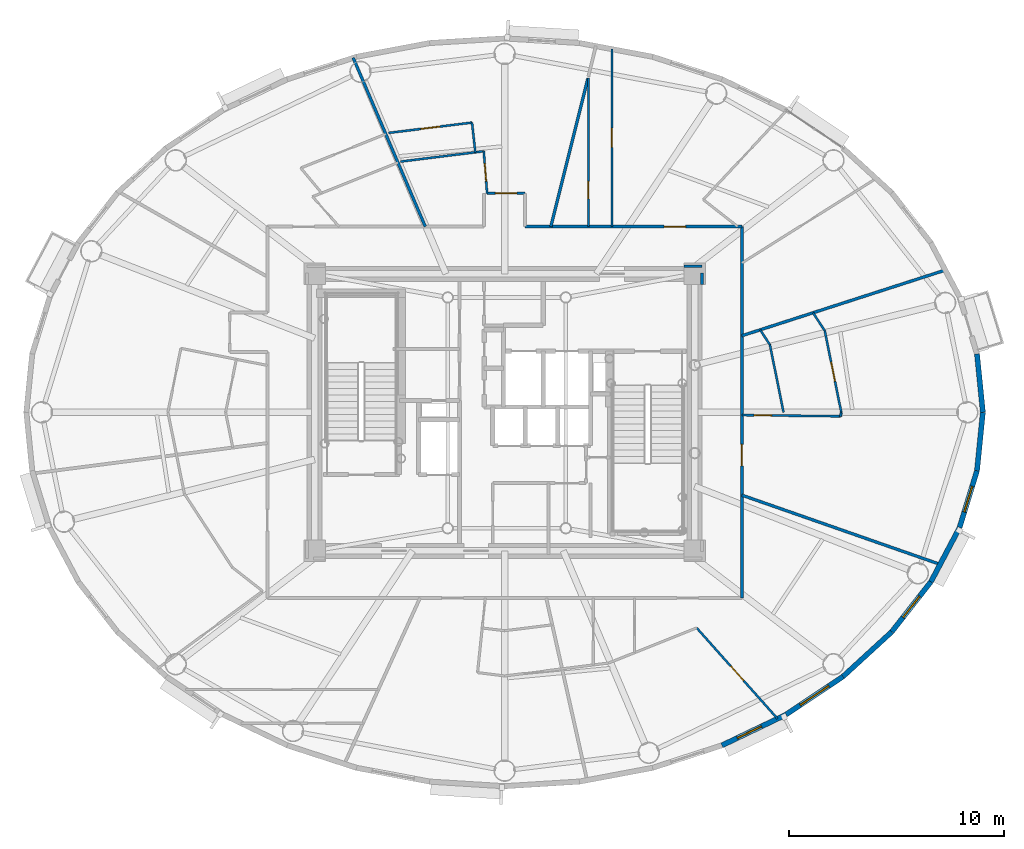
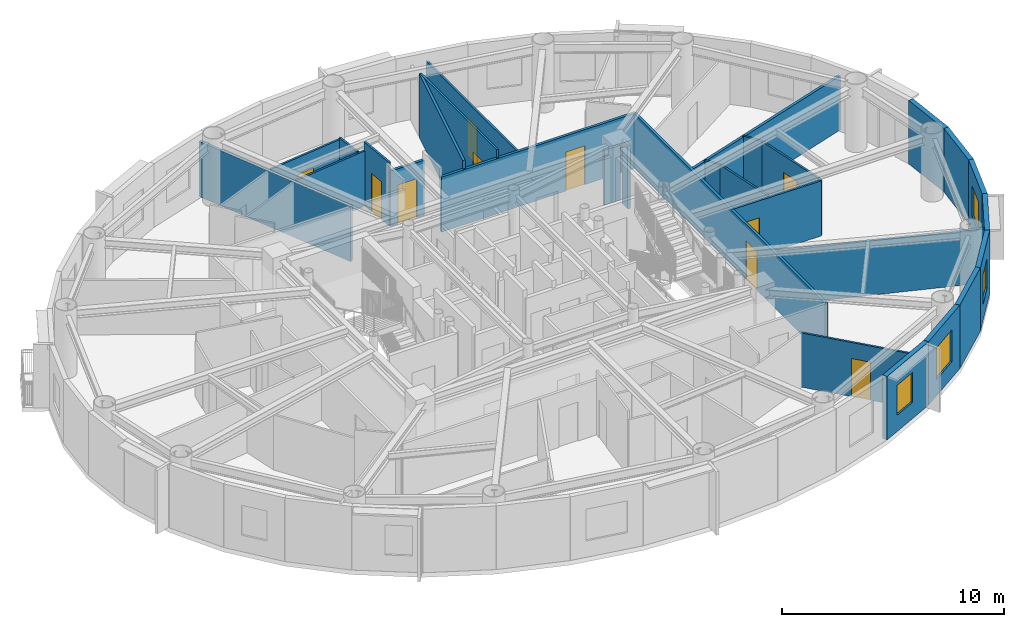
# One storey, part 8 of 17: 30 walls, 10 doors, 4 windows, 14 openings.
"""IFC4 building model written with IfcOpenShell, lengths in metres."""

from ifc_helpers import new_model, si_unit, direction, frame, frame_2d, origin, origin_2d, place, context, subcontext, project, spatial, rectangle, extrude, source, transform, mapped, material, layer, layer_set, type_object, element, fill, save


model = new_model("IFC4")

# Units and contexts
model_context = context("Model", 3, precision=1e-05, world=origin(), true_north=direction((0.0, 1.0)))
body_context = subcontext(model_context, "Body", "Model", "MODEL_VIEW")
ifc_project = project(units=[si_unit("LENGTHUNIT", "METRE"), si_unit("AREAUNIT", "SQUARE_METRE"), si_unit("VOLUMEUNIT", "CUBIC_METRE"), si_unit("PLANEANGLEUNIT", "RADIAN"), si_unit("MASSUNIT", "GRAM", prefix="KILO")], contexts=[model_context])

# Site, building, storey
site_placement = place(None, origin())
site = spatial("IfcSite", under=ifc_project, at=site_placement, CompositionType="ELEMENT")
building_placement = place(site_placement, origin())
building = spatial("IfcBuilding", under=site, at=building_placement, Name="Linh Dai School and Residence Tower", CompositionType="ELEMENT")
storey_placement = place(building_placement, frame((0.0, 0.0, 303.0)))
storey = spatial("IfcBuildingStorey", under=building, at=storey_placement, Name="L75", CompositionType="ELEMENT", Elevation=303.0)

# Wall
ifc_material_1 = material(Name="Precast Concrete B45 (C35/45)", Category="concrete")
ifc_layer_1 = layer(ifc_material_1, 0.239990234375)
ifc_layer_set_1 = layer_set([ifc_layer_1], Name="Precast Concrete B45 (C35/45)")
wall_type_1 = type_object("IfcWallType", Name="EW-TC-240", PredefinedType="SOLIDWALL", material=ifc_layer_set_1)
wall_1_placement = place(storey_placement, frame((58.001708984375, 29.718994140625, 0.0), z_axis=(0.0, 0.0, 1.0), x_axis=(0.099972526841, -0.99499019788, 0.0)))
element("IfcWall", 1, at=wall_1_placement, inside=storey, type_object=wall_type_1, Name="L75 Terracotta Exterior Wall 01", PredefinedType="SOLIDWALL", context=body_context, shape_type="SweptSolid", body=[
    extrude(rectangle(XDim=2.732666015625, YDim=0.239990234375, at=frame_2d((1.3662109375, 0.0))), origin(), (0.0, 0.0, 1.0), 3.5),
])

# Wall, opening, window
wall_2_placement = place(storey_placement, frame((49.1044921875, 12.91845703125, 0.0), z_axis=(0.0, 0.0, 1.0), x_axis=(-0.901573741254, -0.43262546051, 0.0)))
wall_2 = element("IfcWall", 2, at=wall_2_placement, inside=storey, type_object=wall_type_1, Name="L75 Terracotta Exterior Wall 34", PredefinedType="SOLIDWALL", context=body_context, shape_type="SweptSolid", body=[
    extrude(rectangle(XDim=3.306884765625, YDim=0.239990234375, at=frame_2d((1.6533203125, 0.0))), origin(), (0.0, 0.0, 1.0), 3.5),
])
opening_1_placement = place(wall_2_placement, frame((1.260009765625, 0.0, 0.89990234375)))
opening_1 = element("IfcOpeningElement", 3, at=opening_1_placement, cuts=wall_2, Name="Opening W3", PredefinedType="OPENING", context=body_context, shape_type="SweptSolid", body=[
    extrude(rectangle(XDim=1.25, YDim=1.64990234375, at=origin_2d()), frame((0.625, 0.1298828125, 0.824951171875), z_axis=(0.0, -1.0, 0.0), x_axis=(1.0, 0.0, 0.0)), (0.0, 0.0, 1.0), 0.260009765625),
])
ifc_material_2 = material(Name="Double Low-E Insulated Glazing", Category="glass")
window_type_1 = type_object("IfcWindowType", Name="WN-RES-1250x1650", PartitioningType="SINGLE_PANEL", PredefinedType="WINDOW", material=ifc_material_2)
shared_shape_1 = source(origin(), body_context, "Body", "SweptSolid", [
    extrude(rectangle(XDim=1.25, YDim=1.64990234375, at=origin_2d()), frame((0.625, 0.030029296875, 0.824951171875), z_axis=(0.0, -1.0, 0.0), x_axis=(1.0, 0.0, 0.0)), (0.0, 0.0, 1.0), 0.06005859375),
])
window_1_placement = place(opening_1_placement, origin())
window_1 = element("IfcWindow", 4, at=window_1_placement, inside=storey, type_object=window_type_1, Name="L75 Exterior Window 34.1", OverallHeight=1.64990234375, OverallWidth=1.25, PartitioningType="SINGLE_PANEL", PredefinedType="WINDOW", context=body_context, shape_type="MappedRepresentation", body=[
    mapped(shared_shape_1, transform((0.0, 0.0, 0.0), x_axis=(1.0, 0.0, 0.0), y_axis=(0.0, 1.0, 0.0), z_axis=(0.0, 0.0, 1.0), scale=1.0)),
])
fill(opening_1, window_1)

wall_3_placement = place(storey_placement, frame((51.76220703125, 14.69580078125, 0.0), z_axis=(0.0, 0.0, 1.0), x_axis=(-0.831250592635, -0.55589787933, 0.0)))
wall_3 = element("IfcWall", 5, at=wall_3_placement, inside=storey, type_object=wall_type_1, Name="L75 Terracotta Exterior Wall 35", PredefinedType="SOLIDWALL", context=body_context, shape_type="SweptSolid", body=[
    extrude(rectangle(XDim=3.197265625, YDim=0.239990234375, at=frame_2d((1.5986328125, 0.0))), origin(), (0.0, 0.0, 1.0), 3.5),
])
opening_2_placement = place(wall_3_placement, frame((0.798583984375, 0.0, 0.89990234375)))
opening_2 = element("IfcOpeningElement", 6, at=opening_2_placement, cuts=wall_3, Name="Opening W2", PredefinedType="OPENING", context=body_context, shape_type="SweptSolid", body=[
    extrude(rectangle(XDim=1.60009765625, YDim=1.75, at=origin_2d()), frame((0.800048828125, 0.1298828125, 0.875), z_axis=(0.0, -1.0, 0.0), x_axis=(1.0, 0.0, 0.0)), (0.0, 0.0, 1.0), 0.260009765625),
])
window_type_2 = type_object("IfcWindowType", Name="WN-RES-1600x1750", PartitioningType="DOUBLE_PANEL_VERTICAL", PredefinedType="WINDOW", material=ifc_material_2)
shared_shape_2 = source(origin(), body_context, "Body", "SweptSolid", [
    extrude(rectangle(XDim=1.60009765625, YDim=1.75, at=origin_2d()), frame((0.800048828125, 0.030029296875, 0.875), z_axis=(0.0, -1.0, 0.0), x_axis=(1.0, 0.0, 0.0)), (0.0, 0.0, 1.0), 0.06005859375),
])
window_2_placement = place(opening_2_placement, origin())
window_2 = element("IfcWindow", 7, at=window_2_placement, inside=storey, type_object=window_type_2, Name="L75 Exterior Window 35.1", OverallHeight=1.75, OverallWidth=1.60009765625, PartitioningType="DOUBLE_PANEL_VERTICAL", PredefinedType="WINDOW", context=body_context, shape_type="MappedRepresentation", body=[
    mapped(shared_shape_2, transform((0.0, 0.0, 0.0), x_axis=(1.0, 0.0, 0.0), y_axis=(0.0, 1.0, 0.0), z_axis=(0.0, 0.0, 1.0), scale=1.0)),
])
fill(opening_2, window_2)

# Wall
wall_4_placement = place(storey_placement, frame((54.0302734375, 16.775390625, 0.0), z_axis=(0.0, 0.0, 1.0), x_axis=(-0.737068506972, -0.675818034703, 0.0)))
element("IfcWall", 8, at=wall_4_placement, inside=storey, type_object=wall_type_1, Name="L75 Terracotta Exterior Wall 36", PredefinedType="SOLIDWALL", context=body_context, shape_type="SweptSolid", body=[
    extrude(rectangle(XDim=3.0771484375, YDim=0.239990234375, at=frame_2d((1.53857421875, 0.0))), origin(), (0.0, 0.0, 1.0), 3.5),
])

# Wall, opening, window
wall_5_placement = place(storey_placement, frame((55.853759765625, 19.105224609375, 0.0), z_axis=(0.0, 0.0, 1.0), x_axis=(-0.616337186556, -0.787482363275, 0.0)))
wall_5 = element("IfcWall", 9, at=wall_5_placement, inside=storey, type_object=wall_type_1, Name="L75 Terracotta Exterior Wall 37", PredefinedType="SOLIDWALL", context=body_context, shape_type="SweptSolid", body=[
    extrude(rectangle(XDim=2.95849609375, YDim=0.239990234375, at=frame_2d((1.479248046875, 0.0))), origin(), (0.0, 0.0, 1.0), 3.5),
])
opening_3_placement = place(wall_5_placement, frame((0.8544921875, 0.0, 0.89990234375)))
opening_3 = element("IfcOpeningElement", 10, at=opening_3_placement, cuts=wall_5, Name="Opening W3", PredefinedType="OPENING", context=body_context, shape_type="SweptSolid", body=[
    extrude(rectangle(XDim=1.25, YDim=1.64990234375, at=origin_2d()), frame((0.625, 0.1298828125, 0.824951171875), z_axis=(0.0, -1.0, 0.0), x_axis=(1.0, 0.0, 0.0)), (0.0, 0.0, 1.0), 0.260009765625),
])
window_3_placement = place(opening_3_placement, origin())
window_3 = element("IfcWindow", 11, at=window_3_placement, inside=storey, type_object=window_type_1, Name="L75 Exterior Window 37.1", OverallHeight=1.64990234375, OverallWidth=1.25, PartitioningType="SINGLE_PANEL", PredefinedType="WINDOW", context=body_context, shape_type="MappedRepresentation", body=[
    mapped(shared_shape_1, transform((0.0, 0.0, 0.0), x_axis=(1.0, 0.0, 0.0), y_axis=(0.0, 1.0, 0.0), z_axis=(0.0, 0.0, 1.0), scale=1.0)),
])
fill(opening_3, window_3)

# Wall
wall_6_placement = place(storey_placement, frame((57.188232421875, 21.627685546875, 0.0), z_axis=(0.0, 0.0, 1.0), x_axis=(-0.467628269026, -0.883925224218, 0.0)))
element("IfcWall", 12, at=wall_6_placement, inside=storey, type_object=wall_type_1, Name="L75 Terracotta Exterior Wall 38", PredefinedType="SOLIDWALL", context=body_context, shape_type="SweptSolid", body=[
    extrude(rectangle(XDim=2.853759765625, YDim=0.239990234375, at=frame_2d((1.4267578125, 0.0))), origin(), (0.0, 0.0, 1.0), 3.5),
])

# Wall, opening, window
wall_7_placement = place(storey_placement, frame((58.001708984375, 24.281005859375, 0.0), z_axis=(0.0, 0.0, 1.0), x_axis=(-0.2931213403, -0.956075248012, 0.0)))
wall_7 = element("IfcWall", 13, at=wall_7_placement, inside=storey, type_object=wall_type_1, Name="L75 Terracotta Exterior Wall 39", PredefinedType="SOLIDWALL", context=body_context, shape_type="SweptSolid", body=[
    extrude(rectangle(XDim=2.775146484375, YDim=0.239990234375, at=frame_2d((1.3876953125, 0.0))), origin(), (0.0, 0.0, 1.0), 3.5),
])
opening_4_placement = place(wall_7_placement, frame((0.7626953125, 0.0, 0.89990234375)))
opening_4 = element("IfcOpeningElement", 14, at=opening_4_placement, cuts=wall_7, Name="Opening W3", PredefinedType="OPENING", context=body_context, shape_type="SweptSolid", body=[
    extrude(rectangle(XDim=1.25, YDim=1.64990234375, at=origin_2d()), frame((0.625, 0.1298828125, 0.824951171875), z_axis=(0.0, -1.0, 0.0), x_axis=(1.0, 0.0, 0.0)), (0.0, 0.0, 1.0), 0.260009765625),
])
window_4_placement = place(opening_4_placement, origin())
window_4 = element("IfcWindow", 15, at=window_4_placement, inside=storey, type_object=window_type_1, Name="L75 Exterior Window 39.1", OverallHeight=1.64990234375, OverallWidth=1.25, PartitioningType="SINGLE_PANEL", PredefinedType="WINDOW", context=body_context, shape_type="MappedRepresentation", body=[
    mapped(shared_shape_1, transform((0.0, 0.0, 0.0), x_axis=(1.0, 0.0, 0.0), y_axis=(0.0, 1.0, 0.0), z_axis=(0.0, 0.0, 1.0), scale=1.0)),
])
fill(opening_4, window_4)

# Walls
wall_8_placement = place(storey_placement, frame((58.27490234375, 27.0, 0.0), z_axis=(0.0, 0.0, 1.0), x_axis=(-0.099972526841, -0.99499019788, 0.0)))
element("IfcWall", 16, at=wall_8_placement, inside=storey, type_object=wall_type_1, Name="L75 Terracotta Exterior Wall 40", PredefinedType="SOLIDWALL", context=body_context, shape_type="SweptSolid", body=[
    extrude(rectangle(XDim=2.732666015625, YDim=0.239990234375, at=frame_2d((1.3662109375, 0.0))), origin(), (0.0, 0.0, 1.0), 3.5),
])
ifc_material_3 = material(Name="Autoclaved Aerated Concrete Blockwork", Category="masonry")
ifc_layer_2 = layer(ifc_material_3, 0.135009765625)
ifc_layer_set_2 = layer_set([ifc_layer_2], Name="Autoclaved Aerated Concrete Blockwork")
wall_type_2 = type_object("IfcWallType", Name="IW-CORR-135-EI90", PredefinedType="PARTITIONING", material=ifc_layer_set_2)
wall_9_placement = place(storey_placement, frame((28.9462890625, 43.512939453125, 0.0), z_axis=(0.0, 0.0, 1.0), x_axis=(0.392833513872, -0.919609607594, 0.0)))
element("IfcWall", 17, at=wall_9_placement, inside=storey, type_object=wall_type_2, Name="L75 Interior Partition Wall 026", PredefinedType="PARTITIONING", context=body_context, shape_type="SweptSolid", body=[
    extrude(rectangle(XDim=8.55029296875, YDim=0.135009765625, at=frame_2d((4.275146484375, 0.0))), origin(), (0.0, 0.0, 1.0), 3.034912109375),
])

# Wall, opening, door
wall_10_placement = place(storey_placement, frame((35.185546875, 37.199951171875, 0.0), z_axis=(0.0, 0.0, 1.0), x_axis=(1.0, 0.0, 0.0)))
wall_10 = element("IfcWall", 18, at=wall_10_placement, inside=storey, type_object=wall_type_2, Name="L75 Interior Partition Wall 049", PredefinedType="PARTITIONING", context=body_context, shape_type="SweptSolid", body=[
    extrude(rectangle(XDim=1.764404296875, YDim=0.135009765625, at=frame_2d((0.88232421875, 0.0))), origin(), (0.0, 0.0, 1.0), 3.034912109375),
])
opening_5_placement = place(wall_10_placement, frame((0.382080078125, 0.0, 0.0)))
opening_5 = element("IfcOpeningElement", 19, at=opening_5_placement, cuts=wall_10, Name="Opening D03", PredefinedType="OPENING", context=body_context, shape_type="SweptSolid", body=[
    extrude(rectangle(XDim=1.0, YDim=2.14990234375, at=origin_2d()), frame((0.5, 0.07763671875, 1.074951171875), z_axis=(0.0, -1.0, 0.0), x_axis=(1.0, 0.0, 0.0)), (0.0, 0.0, 1.0), 0.155029296875),
])
ifc_material_4 = material(Name="Fire-Rated Solid Timber Entrance Door", Category="wood")
door_type_1 = type_object("IfcDoorType", Name="DR-FLAT-1000x2150-FD60S", OperationType="NOTDEFINED", PredefinedType="DOOR", material=ifc_material_4)
shared_shape_3 = source(origin(), body_context, "Body", "SweptSolid", [
    extrude(rectangle(XDim=1.0, YDim=2.14990234375, at=origin_2d()), frame((0.5, 0.02490234375, 1.074951171875), z_axis=(0.0, -1.0, 0.0), x_axis=(1.0, 0.0, 0.0)), (0.0, 0.0, 1.0), 0.050048828125),
])
door_1_placement = place(opening_5_placement, origin())
door_1 = element("IfcDoor", 20, at=door_1_placement, inside=storey, type_object=door_type_1, Name="L75 U7501 Apartment Entrance Door", OperationType="SINGLE_SWING_LEFT", OverallHeight=2.14990234375, OverallWidth=1.0, PredefinedType="DOOR", context=body_context, shape_type="MappedRepresentation", body=[
    mapped(shared_shape_3, transform((0.0, 0.0, 0.0), x_axis=(1.0, 0.0, 0.0), y_axis=(0.0, 1.0, 0.0), z_axis=(0.0, 0.0, 1.0), scale=1.0)),
])
fill(opening_5, door_1)

wall_11_placement = place(storey_placement, frame((36.949951171875, 35.64990234375, 0.0), z_axis=(0.0, 0.0, 1.0), x_axis=(1.0, 0.0, 0.0)))
wall_11 = element("IfcWall", 21, at=wall_11_placement, inside=storey, type_object=wall_type_2, Name="L75 Interior Partition Wall 060", PredefinedType="PARTITIONING", context=body_context, shape_type="SweptSolid", body=[
    extrude(rectangle(XDim=10.10009765625, YDim=0.135009765625, at=frame_2d((5.050048828125, 0.0))), origin(), (0.0, 0.0, 1.0), 3.034912109375),
])
opening_6_placement = place(wall_11_placement, frame((6.476806640625, 0.0, 0.0)))
opening_6 = element("IfcOpeningElement", 22, at=opening_6_placement, cuts=wall_11, Name="Opening D03", PredefinedType="OPENING", context=body_context, shape_type="SweptSolid", body=[
    extrude(rectangle(XDim=1.0, YDim=2.14990234375, at=origin_2d()), frame((0.5, 0.07763671875, 1.074951171875), z_axis=(0.0, -1.0, 0.0), x_axis=(1.0, 0.0, 0.0)), (0.0, 0.0, 1.0), 0.155029296875),
])
door_2_placement = place(opening_6_placement, origin())
door_2 = element("IfcDoor", 23, at=door_2_placement, inside=storey, type_object=door_type_1, Name="L75 U7508 Apartment Entrance Door", OperationType="SINGLE_SWING_RIGHT", OverallHeight=2.14990234375, OverallWidth=1.0, PredefinedType="DOOR", context=body_context, shape_type="MappedRepresentation", body=[
    mapped(shared_shape_3, transform((0.0, 0.0, 0.0), x_axis=(1.0, 0.0, 0.0), y_axis=(0.0, 1.0, 0.0), z_axis=(0.0, 0.0, 1.0), scale=1.0)),
])
fill(opening_6, door_2)

# Wall
wall_12_placement = place(storey_placement, frame((38.15673828125, 35.64990234375, 0.0), z_axis=(0.0, 0.0, 1.0), x_axis=(0.241898679066, 0.970301514513, 0.0)))
element("IfcWall", 24, at=wall_12_placement, inside=storey, type_object=wall_type_2, Name="L75 Interior Partition Wall 066", PredefinedType="PARTITIONING", context=body_context, shape_type="SweptSolid", body=[
    extrude(rectangle(XDim=7.12548828125, YDim=0.135009765625, at=frame_2d((3.562744140625, 0.0))), origin(), (0.0, 0.0, 1.0), 3.5),
])

# Wall, opening, door
wall_13_placement = place(storey_placement, frame((47.050048828125, 18.35009765625, 0.0), z_axis=(0.0, 0.0, 1.0), x_axis=(0.0, 1.0, 0.0)))
wall_13 = element("IfcWall", 25, at=wall_13_placement, inside=storey, type_object=wall_type_2, Name="L75 Interior Partition Wall 083", PredefinedType="PARTITIONING", context=body_context, shape_type="SweptSolid", body=[
    extrude(rectangle(XDim=17.2998046875, YDim=0.135009765625, at=frame_2d((8.64990234375, 0.0))), origin(), (0.0, 0.0, 1.0), 3.034912109375),
])
opening_7_placement = place(wall_13_placement, frame((6.1552734375, 0.0, 0.0)))
opening_7 = element("IfcOpeningElement", 26, at=opening_7_placement, cuts=wall_13, Name="Opening D03", PredefinedType="OPENING", context=body_context, shape_type="SweptSolid", body=[
    extrude(rectangle(XDim=1.0, YDim=2.14990234375, at=origin_2d()), frame((0.5, 0.07763671875, 1.074951171875), z_axis=(0.0, -1.0, 0.0), x_axis=(1.0, 0.0, 0.0)), (0.0, 0.0, 1.0), 0.155029296875),
])
door_3_placement = place(opening_7_placement, origin())
door_3 = element("IfcDoor", 27, at=door_3_placement, inside=storey, type_object=door_type_1, Name="L75 U7507 Apartment Entrance Door", OperationType="SINGLE_SWING_LEFT", OverallHeight=2.14990234375, OverallWidth=1.0, PredefinedType="DOOR", context=body_context, shape_type="MappedRepresentation", body=[
    mapped(shared_shape_3, transform((0.0, 0.0, 0.0), x_axis=(1.0, 0.0, 0.0), y_axis=(0.0, 1.0, 0.0), z_axis=(0.0, 0.0, 1.0), scale=1.0)),
])
fill(opening_7, door_3)

# Walls
wall_14_placement = place(storey_placement, frame((47.050048828125, 23.141845703125, 0.0), z_axis=(0.0, 0.0, 1.0), x_axis=(0.94410974345, -0.329631297547, 0.0)))
element("IfcWall", 28, at=wall_14_placement, inside=storey, type_object=wall_type_2, Name="L75 Interior Partition Wall 084", PredefinedType="PARTITIONING", context=body_context, shape_type="SweptSolid", body=[
    extrude(rectangle(XDim=9.785400390625, YDim=0.135009765625, at=frame_2d((4.892578125, 0.0))), origin(), (0.0, 0.0, 1.0), 2.985107421875),
])
wall_15_placement = place(storey_placement, frame((47.050048828125, 30.5654296875, 0.0), z_axis=(0.0, 0.0, 1.0), x_axis=(0.951682976888, 0.307082255269, 0.0)))
element("IfcWall", 29, at=wall_15_placement, inside=storey, type_object=wall_type_2, Name="L75 Interior Partition Wall 086", PredefinedType="PARTITIONING", context=body_context, shape_type="SweptSolid", body=[
    extrude(rectangle(XDim=9.962646484375, YDim=0.135009765625, at=frame_2d((4.9814453125, 0.0))), origin(), (0.0, 0.0, 1.0), 2.985107421875),
])
wall_16_placement = place(storey_placement, frame((45.199951171875, 33.800048828125, 0.0), z_axis=(0.0, 0.0, 1.0), x_axis=(-1.0, 0.0, 0.0)))
element("IfcWall", 30, at=wall_16_placement, inside=storey, type_object=wall_type_2, Name="L75 Interior Partition Wall 095", PredefinedType="PARTITIONING", context=body_context, shape_type="SweptSolid", body=[
    extrude(rectangle(XDim=0.83984375, YDim=0.135009765625, at=frame_2d((0.419921875, 0.0))), origin(), (0.0, 0.0, 1.0), 3.034912109375),
])
wall_17_placement = place(storey_placement, frame((45.199951171875, 32.9599609375, 0.0), z_axis=(0.0, 0.0, 1.0), x_axis=(0.0, 1.0, 0.0)))
element("IfcWall", 31, at=wall_17_placement, inside=storey, type_object=wall_type_2, Name="L75 Interior Partition Wall 102", PredefinedType="PARTITIONING", context=body_context, shape_type="SweptSolid", body=[
    extrude(rectangle(XDim=0.532470703125, YDim=0.135009765625, at=frame_2d((0.26611328125, 0.0))), origin(), (0.0, 0.0, 1.0), 3.5),
])

# Wall, opening, door
ifc_material_5 = material(Name="Gypsum Plasterboard Acoustic Stud Partition", Category="masonry")
ifc_layer_3 = layer(ifc_material_5, 0.10009765625)
ifc_layer_set_3 = layer_set([ifc_layer_3], Name="Gypsum Plasterboard Acoustic Stud Partition")
wall_type_3 = type_object("IfcWallType", Name="IW-UNIT-100", PredefinedType="PARTITIONING", material=ifc_layer_set_3)
wall_18_placement = place(storey_placement, frame((30.600830078125, 40.011474609375, 0.0), z_axis=(0.0, 0.0, 1.0), x_axis=(0.992391758007, 0.123120260886, 0.0)))
wall_18 = element("IfcWall", 32, at=wall_18_placement, inside=storey, type_object=wall_type_3, Name="L75 Interior Partition Wall 027", PredefinedType="PARTITIONING", context=body_context, shape_type="SweptSolid", body=[
    extrude(rectangle(XDim=3.910400390625, YDim=0.10009765625, at=frame_2d((1.955078125, 0.0))), origin(), (0.0, 0.0, 1.0), 3.034912109375),
])
opening_8_placement = place(wall_18_placement, frame((1.505126953125, 0.0, 0.0)))
opening_8 = element("IfcOpeningElement", 33, at=opening_8_placement, cuts=wall_18, Name="Opening D05", PredefinedType="OPENING", context=body_context, shape_type="SweptSolid", body=[
    extrude(rectangle(XDim=0.89990234375, YDim=2.10009765625, at=origin_2d()), frame((0.449951171875, 0.06005859375, 1.050048828125), z_axis=(0.0, -1.0, 0.0), x_axis=(1.0, 0.0, 0.0)), (0.0, 0.0, 1.0), 0.1201171875),
])
ifc_material_6 = material(Name="Engineered Timber Internal Door", Category="wood")
door_type_2 = type_object("IfcDoorType", Name="DR-INT-900x2100", OperationType="NOTDEFINED", PredefinedType="DOOR", material=ifc_material_6)
shared_shape_4 = source(origin(), body_context, "Body", "SweptSolid", [
    extrude(rectangle(XDim=0.89990234375, YDim=2.10009765625, at=origin_2d()), frame((0.449951171875, 0.02490234375, 1.050048828125), z_axis=(0.0, -1.0, 0.0), x_axis=(1.0, 0.0, 0.0)), (0.0, 0.0, 1.0), 0.050048828125),
])
door_4_placement = place(opening_8_placement, origin())
door_4 = element("IfcDoor", 34, at=door_4_placement, inside=storey, type_object=door_type_2, Name="L75 Apartment U7501 Kitchen Door", OperationType="SINGLE_SWING_LEFT", OverallHeight=2.10009765625, OverallWidth=0.89990234375, PredefinedType="DOOR", context=body_context, shape_type="MappedRepresentation", body=[
    mapped(shared_shape_4, transform((0.0, 0.0, 0.0), x_axis=(1.0, 0.0, 0.0), y_axis=(0.0, 1.0, 0.0), z_axis=(0.0, 0.0, 1.0), scale=1.0)),
])
fill(opening_8, door_4)

# Walls
wall_19_placement = place(storey_placement, frame((31.154541015625, 38.677001953125, 0.0), z_axis=(0.0, 0.0, 1.0), x_axis=(0.992398620659, 0.123064932921, 0.0)))
element("IfcWall", 35, at=wall_19_placement, inside=storey, type_object=wall_type_3, Name="L75 Interior Partition Wall 031", PredefinedType="PARTITIONING", context=body_context, shape_type="SweptSolid", body=[
    extrude(rectangle(XDim=3.904296875, YDim=0.10009765625, at=frame_2d((1.9521484375, 0.0))), origin(), (0.0, 0.0, 1.0), 3.034912109375),
])
wall_20_placement = place(storey_placement, frame((34.4814453125, 40.492919921875, 0.0), z_axis=(0.0, 0.0, 1.0), x_axis=(0.111835884353, -0.993726690278, 0.0)))
element("IfcWall", 36, at=wall_20_placement, inside=storey, type_object=wall_type_3, Name="L75 Interior Partition Wall 037", PredefinedType="PARTITIONING", context=body_context, shape_type="SweptSolid", body=[
    extrude(rectangle(XDim=1.392822265625, YDim=0.10009765625, at=frame_2d((0.6962890625, 0.0))), origin(), (0.0, 0.0, 1.0), 3.125),
])

# Wall, opening, door
wall_21_placement = place(storey_placement, frame((35.029296875, 39.15771484375, 0.0), z_axis=(0.0, 0.0, 1.0), x_axis=(0.079557473452, -0.996830280649, 0.0)))
wall_21 = element("IfcWall", 37, at=wall_21_placement, inside=storey, type_object=wall_type_3, Name="L75 Interior Partition Wall 041", PredefinedType="PARTITIONING", context=body_context, shape_type="SweptSolid", body=[
    extrude(rectangle(XDim=1.9638671875, YDim=0.10009765625, at=frame_2d((0.98193359375, 0.0))), origin(), (0.0, 0.0, 1.0), 3.5),
])
opening_9_placement = place(wall_21_placement, frame((0.572021484375, 0.0, 0.0)))
opening_9 = element("IfcOpeningElement", 38, at=opening_9_placement, cuts=wall_21, Name="Opening D06", PredefinedType="OPENING", context=body_context, shape_type="SweptSolid", body=[
    extrude(rectangle(XDim=0.820068359375, YDim=2.10009765625, at=origin_2d()), frame((0.41015625, 0.06005859375, 1.050048828125), z_axis=(0.0, -1.0, 0.0), x_axis=(1.0, 0.0, 0.0)), (0.0, 0.0, 1.0), 0.1201171875),
])
ifc_material_7 = material(Name="Moisture-Resistant Timber Bathroom Door", Category="wood")
door_type_3 = type_object("IfcDoorType", Name="DR-WET-820x2100", OperationType="NOTDEFINED", PredefinedType="DOOR", material=ifc_material_7)
shared_shape_5 = source(origin(), body_context, "Body", "SweptSolid", [
    extrude(rectangle(XDim=0.820068359375, YDim=2.10009765625, at=origin_2d()), frame((0.41015625, 0.02490234375, 1.050048828125), z_axis=(0.0, -1.0, 0.0), x_axis=(1.0, 0.0, 0.0)), (0.0, 0.0, 1.0), 0.050048828125),
])
door_5_placement = place(opening_9_placement, origin())
door_5 = element("IfcDoor", 39, at=door_5_placement, inside=storey, type_object=door_type_3, Name="L75 Apartment U7501 Bathroom Door", OperationType="SINGLE_SWING_RIGHT", OverallHeight=2.10009765625, OverallWidth=0.820068359375, PredefinedType="DOOR", context=body_context, shape_type="MappedRepresentation", body=[
    mapped(shared_shape_5, transform((0.0, 0.0, 0.0), x_axis=(1.0, 0.0, 0.0), y_axis=(0.0, 1.0, 0.0), z_axis=(0.0, 0.0, 1.0), scale=1.0)),
])
fill(opening_9, door_5)

wall_22_placement = place(storey_placement, frame((39.89990234375, 35.64990234375, 0.0), z_axis=(0.0, 0.0, 1.0), x_axis=(0.0, 1.0, 0.0)))
wall_22 = element("IfcWall", 40, at=wall_22_placement, inside=storey, type_object=wall_type_3, Name="L75 Interior Partition Wall 070", PredefinedType="PARTITIONING", context=body_context, shape_type="SweptSolid", body=[
    extrude(rectangle(XDim=6.911376953125, YDim=0.10009765625, at=frame_2d((3.45556640625, 0.0))), origin(), (0.0, 0.0, 1.0), 3.5),
])
opening_10_placement = place(wall_22_placement, frame((1.290283203125, 0.0, 0.0)))
opening_10 = element("IfcOpeningElement", 41, at=opening_10_placement, cuts=wall_22, Name="Opening D06", PredefinedType="OPENING", context=body_context, shape_type="SweptSolid", body=[
    extrude(rectangle(XDim=0.820068359375, YDim=2.10009765625, at=origin_2d()), frame((0.41015625, 0.06005859375, 1.050048828125), z_axis=(0.0, -1.0, 0.0), x_axis=(1.0, 0.0, 0.0)), (0.0, 0.0, 1.0), 0.1201171875),
])
door_6_placement = place(opening_10_placement, origin())
door_6 = element("IfcDoor", 42, at=door_6_placement, inside=storey, type_object=door_type_3, Name="L75 Apartment U7508 Bathroom 1 Door", OperationType="SINGLE_SWING_RIGHT", OverallHeight=2.10009765625, OverallWidth=0.820068359375, PredefinedType="DOOR", context=body_context, shape_type="MappedRepresentation", body=[
    mapped(shared_shape_5, transform((0.0, 0.0, 0.0), x_axis=(1.0, 0.0, 0.0), y_axis=(0.0, 1.0, 0.0), z_axis=(0.0, 0.0, 1.0), scale=1.0)),
])
fill(opening_10, door_6)

wall_23_placement = place(storey_placement, frame((40.998291015625, 35.64990234375, 0.0), z_axis=(0.0, 0.0, 1.0), x_axis=(0.0, 1.0, 0.0)))
wall_23 = element("IfcWall", 43, at=wall_23_placement, inside=storey, type_object=wall_type_3, Name="L75 Interior Partition Wall 078", PredefinedType="PARTITIONING", context=body_context, shape_type="SweptSolid", body=[
    extrude(rectangle(XDim=8.271484375, YDim=0.10009765625, at=frame_2d((4.1357421875, 0.0))), origin(), (0.0, 0.0, 1.0), 2.985107421875),
])
opening_11_placement = place(wall_23_placement, frame((3.685791015625, 0.0, 0.0)))
opening_11 = element("IfcOpeningElement", 44, at=opening_11_placement, cuts=wall_23, Name="Opening D05", PredefinedType="OPENING", context=body_context, shape_type="SweptSolid", body=[
    extrude(rectangle(XDim=0.89990234375, YDim=2.10009765625, at=origin_2d()), frame((0.449951171875, 0.06005859375, 1.050048828125), z_axis=(0.0, -1.0, 0.0), x_axis=(1.0, 0.0, 0.0)), (0.0, 0.0, 1.0), 0.1201171875),
])
door_7_placement = place(opening_11_placement, origin())
door_7 = element("IfcDoor", 45, at=door_7_placement, inside=storey, type_object=door_type_2, Name="L75 Apartment U7508 Kitchen Door", OperationType="SINGLE_SWING_RIGHT", OverallHeight=2.10009765625, OverallWidth=0.89990234375, PredefinedType="DOOR", context=body_context, shape_type="MappedRepresentation", body=[
    mapped(shared_shape_4, transform((0.0, 0.0, 0.0), x_axis=(1.0, 0.0, 0.0), y_axis=(0.0, 1.0, 0.0), z_axis=(0.0, 0.0, 1.0), scale=1.0)),
])
fill(opening_11, door_7)

wall_24_placement = place(storey_placement, frame((44.945068359375, 16.95849609375, 0.0), z_axis=(0.0, 0.0, 1.0), x_axis=(0.665162818086, -0.746698349694, 0.0)))
wall_24 = element("IfcWall", 46, at=wall_24_placement, inside=storey, type_object=wall_type_3, Name="L75 Interior Partition Wall 080", PredefinedType="PARTITIONING", context=body_context, shape_type="SweptSolid", body=[
    extrude(rectangle(XDim=5.668212890625, YDim=0.10009765625, at=frame_2d((2.833984375, 0.0))), origin(), (0.0, 0.0, 1.0), 2.985107421875),
])
opening_12_placement = place(wall_24_placement, frame((2.384033203125, 0.0, 0.0)))
opening_12 = element("IfcOpeningElement", 47, at=opening_12_placement, cuts=wall_24, Name="Opening D05", PredefinedType="OPENING", context=body_context, shape_type="SweptSolid", body=[
    extrude(rectangle(XDim=0.89990234375, YDim=2.10009765625, at=origin_2d()), frame((0.449951171875, 0.06005859375, 1.050048828125), z_axis=(0.0, -1.0, 0.0), x_axis=(1.0, 0.0, 0.0)), (0.0, 0.0, 1.0), 0.1201171875),
])
door_8_placement = place(opening_12_placement, origin())
door_8 = element("IfcDoor", 48, at=door_8_placement, inside=storey, type_object=door_type_2, Name="L75 Apartment U7506 Principal Bedroom 1 Door", OperationType="SINGLE_SWING_RIGHT", OverallHeight=2.10009765625, OverallWidth=0.89990234375, PredefinedType="DOOR", context=body_context, shape_type="MappedRepresentation", body=[
    mapped(shared_shape_4, transform((0.0, 0.0, 0.0), x_axis=(1.0, 0.0, 0.0), y_axis=(0.0, 1.0, 0.0), z_axis=(0.0, 0.0, 1.0), scale=1.0)),
])
fill(opening_12, door_8)

wall_25_placement = place(storey_placement, frame((47.050048828125, 26.86865234375, 0.0), z_axis=(0.0, 0.0, 1.0), x_axis=(0.999929100649, -0.011907714968, 0.0)))
wall_25 = element("IfcWall", 49, at=wall_25_placement, inside=storey, type_object=wall_type_3, Name="L75 Interior Partition Wall 085", PredefinedType="PARTITIONING", context=body_context, shape_type="SweptSolid", body=[
    extrude(rectangle(XDim=4.592529296875, YDim=0.10009765625, at=frame_2d((2.29638671875, 0.0))), origin(), (0.0, 0.0, 1.0), 3.034912109375),
])
opening_13_placement = place(wall_25_placement, frame((0.5654296875, 0.0, 0.0)))
opening_13 = element("IfcOpeningElement", 50, at=opening_13_placement, cuts=wall_25, Name="Opening D06", PredefinedType="OPENING", context=body_context, shape_type="SweptSolid", body=[
    extrude(rectangle(XDim=0.820068359375, YDim=2.10009765625, at=origin_2d()), frame((0.41015625, 0.06005859375, 1.050048828125), z_axis=(0.0, -1.0, 0.0), x_axis=(1.0, 0.0, 0.0)), (0.0, 0.0, 1.0), 0.1201171875),
])
door_9_placement = place(opening_13_placement, origin())
door_9 = element("IfcDoor", 51, at=door_9_placement, inside=storey, type_object=door_type_3, Name="L75 Apartment U7507 Bathroom Door", OperationType="SINGLE_SWING_RIGHT", OverallHeight=2.10009765625, OverallWidth=0.820068359375, PredefinedType="DOOR", context=body_context, shape_type="MappedRepresentation", body=[
    mapped(shared_shape_5, transform((0.0, 0.0, 0.0), x_axis=(1.0, 0.0, 0.0), y_axis=(0.0, 1.0, 0.0), z_axis=(0.0, 0.0, 1.0), scale=1.0)),
])
fill(opening_13, door_9)

# Walls
wall_26_placement = place(storey_placement, frame((47.902587890625, 30.840576171875, 0.0), z_axis=(0.0, 0.0, 1.0), x_axis=(0.545586849168, -0.838054288227, 0.0)))
element("IfcWall", 52, at=wall_26_placement, inside=storey, type_object=wall_type_3, Name="L75 Interior Partition Wall 088", PredefinedType="PARTITIONING", context=body_context, shape_type="SweptSolid", body=[
    extrude(rectangle(XDim=0.83154296875, YDim=0.10009765625, at=frame_2d((0.415771484375, 0.0))), origin(), (0.0, 0.0, 1.0), 3.034912109375),
])
wall_27_placement = place(storey_placement, frame((48.356201171875, 30.143798828125, 0.0), z_axis=(0.0, 0.0, 1.0), x_axis=(0.198208908342, -0.98015979751, 0.0)))
element("IfcWall", 53, at=wall_27_placement, inside=storey, type_object=wall_type_3, Name="L75 Interior Partition Wall 089", PredefinedType="PARTITIONING", context=body_context, shape_type="SweptSolid", body=[
    extrude(rectangle(XDim=3.20751953125, YDim=0.10009765625, at=frame_2d((1.603759765625, 0.0))), origin(), (0.0, 0.0, 1.0), 3.034912109375),
])
wall_28_placement = place(storey_placement, frame((50.365234375, 31.63525390625, 0.0), z_axis=(0.0, 0.0, 1.0), x_axis=(0.545458599095, -0.83813776712, 0.0)))
element("IfcWall", 54, at=wall_28_placement, inside=storey, type_object=wall_type_3, Name="L75 Interior Partition Wall 090", PredefinedType="PARTITIONING", context=body_context, shape_type="SweptSolid", body=[
    extrude(rectangle(XDim=1.00341796875, YDim=0.10009765625, at=frame_2d((0.501708984375, 0.0))), origin(), (0.0, 0.0, 1.0), 3.034912109375),
])

# Wall, opening, door
wall_29_placement = place(storey_placement, frame((50.91259765625, 30.794189453125, 0.0), z_axis=(0.0, 0.0, 1.0), x_axis=(0.198226068862, -0.980156327135, 0.0)))
wall_29 = element("IfcWall", 55, at=wall_29_placement, inside=storey, type_object=wall_type_3, Name="L75 Interior Partition Wall 091", PredefinedType="PARTITIONING", context=body_context, shape_type="SweptSolid", body=[
    extrude(rectangle(XDim=3.87109375, YDim=0.10009765625, at=frame_2d((1.935546875, 0.0))), origin(), (0.0, 0.0, 1.0), 3.034912109375),
])
opening_14_placement = place(wall_29_placement, frame((1.485595703125, 0.0, 0.0)))
opening_14 = element("IfcOpeningElement", 56, at=opening_14_placement, cuts=wall_29, Name="Opening D05", PredefinedType="OPENING", context=body_context, shape_type="SweptSolid", body=[
    extrude(rectangle(XDim=0.89990234375, YDim=2.10009765625, at=origin_2d()), frame((0.449951171875, 0.06005859375, 1.050048828125), z_axis=(0.0, -1.0, 0.0), x_axis=(1.0, 0.0, 0.0)), (0.0, 0.0, 1.0), 0.1201171875),
])
door_10_placement = place(opening_14_placement, origin())
door_10 = element("IfcDoor", 57, at=door_10_placement, inside=storey, type_object=door_type_2, Name="L75 Apartment U7507 Kitchen Door", OperationType="SINGLE_SWING_LEFT", OverallHeight=2.10009765625, OverallWidth=0.89990234375, PredefinedType="DOOR", context=body_context, shape_type="MappedRepresentation", body=[
    mapped(shared_shape_4, transform((0.0, 0.0, 0.0), x_axis=(1.0, 0.0, 0.0), y_axis=(0.0, 1.0, 0.0), z_axis=(0.0, 0.0, 1.0), scale=1.0)),
])
fill(opening_14, door_10)

# Wall
wall_30_placement = place(storey_placement, frame((51.642333984375, 26.81396484375, 0.0), z_axis=(0.0, 0.0, 1.0), x_axis=(0.198094703821, 0.980182885138, 0.0)))
element("IfcWall", 58, at=wall_30_placement, inside=storey, type_object=wall_type_3, Name="L75 Interior Partition Wall 092", PredefinedType="PARTITIONING", context=body_context, shape_type="SweptSolid", body=[
    extrude(rectangle(XDim=0.189697265625, YDim=0.10009765625, at=frame_2d((0.0947265625, 0.0))), origin(), (0.0, 0.0, 1.0), 3.034912109375),
])

save(model, "model.ifc")
